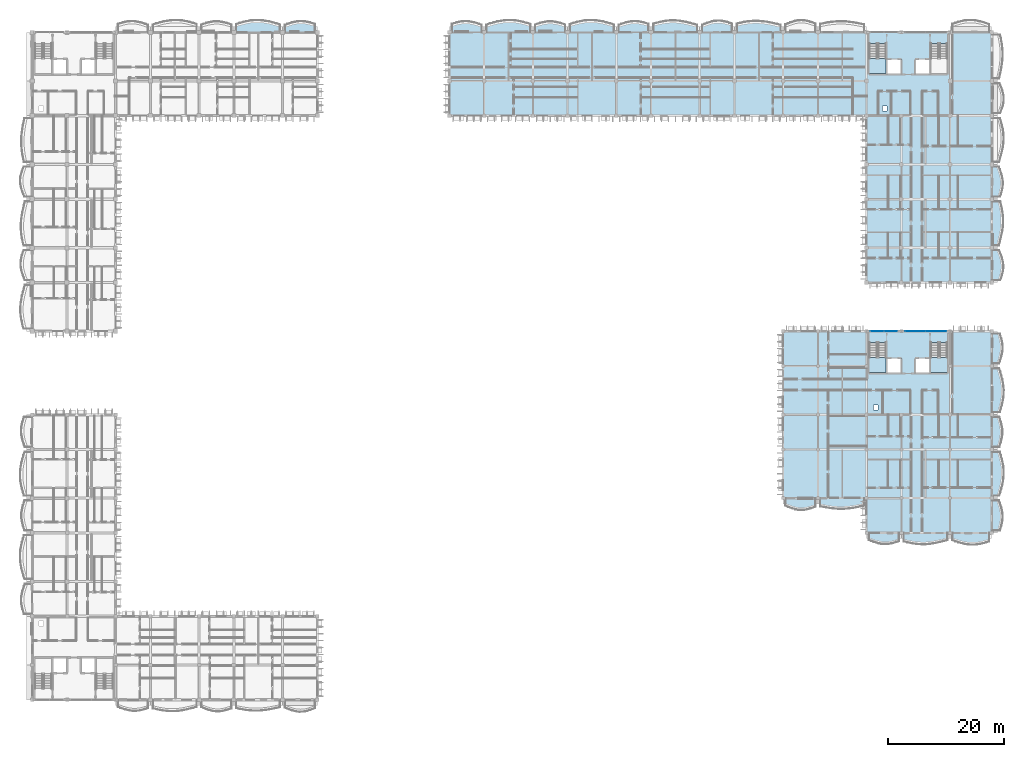
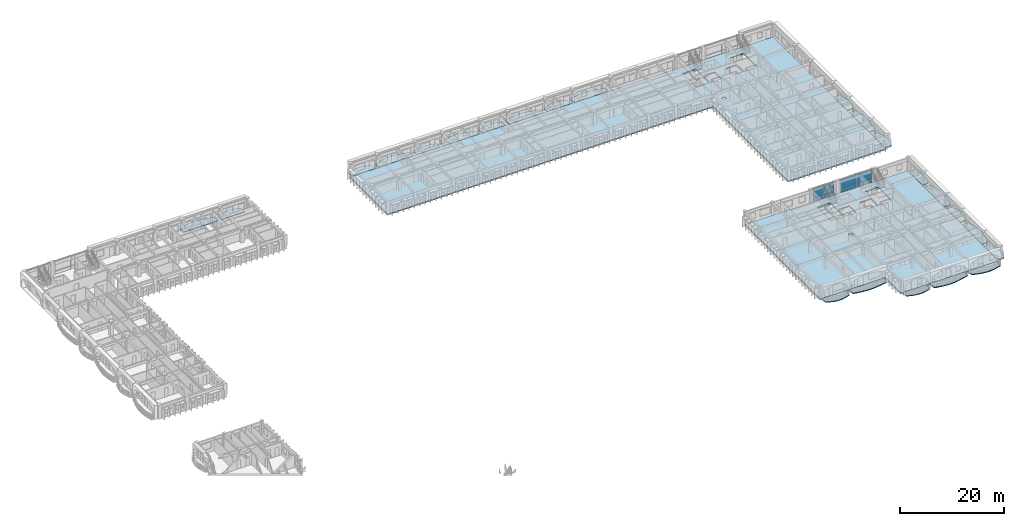
# One storey, part 12 of 70: 28 slabs, 8 plates, 5 elements without a shape of their own.
"""IFC4 building model written with IfcOpenShell, lengths in metres."""

from ifc_helpers import new_model, si_unit, direction, frame, origin, origin_2d, place, context, subcontext, project, spatial, polyline, rectangle, outline, extrude, material, layer, layer_set, type_object, element, aggregate, save


model = new_model("IFC4")

# Units and contexts
model_context = context("Model", 3, precision=1e-05, world=origin(), true_north=direction((0.0, 1.0)))
body_context = subcontext(model_context, "Body", "Model", "MODEL_VIEW")
ifc_project = project(units=[si_unit("LENGTHUNIT", "METRE"), si_unit("AREAUNIT", "SQUARE_METRE"), si_unit("VOLUMEUNIT", "CUBIC_METRE"), si_unit("PLANEANGLEUNIT", "RADIAN"), si_unit("MASSUNIT", "GRAM", prefix="KILO"), si_unit("THERMODYNAMICTEMPERATUREUNIT", "KELVIN")], contexts=[model_context])

# Site, building, storey
site_placement = place(None, origin())
site = spatial("IfcSite", under=ifc_project, at=site_placement, CompositionType="ELEMENT")
building_placement = place(site_placement, origin())
building = spatial("IfcBuilding", under=site, at=building_placement, Name="Thalorik Housing Commons", CompositionType="ELEMENT")
storey_placement = place(building_placement, frame((0.0, 0.0, 14.699951171875)))
storey = spatial("IfcBuildingStorey", under=building, at=storey_placement, Name="L04", CompositionType="ELEMENT", Elevation=14.699951171875)

# Curtain wall, plates
ifc_material_1 = material(Name="Anodised aluminium and solar-control low-E glass", Category="aluminium")
curtain_wall_type = type_object("IfcCurtainWallType", Name="ARC-CW-CORE", PredefinedType="USERDEFINED", material=ifc_material_1)
curtain_wall_1_placement = place(storey_placement, origin())
curtain_wall_1 = element("IfcCurtainWall", 1, at=curtain_wall_1_placement, inside=storey, type_object=curtain_wall_type, Name="L04 Curtain Wall CW-CORE-L04-D-190", ObjectType="CURTAIN WALL", PredefinedType="USERDEFINED")
ifc_material_2 = material(Name="Cobalt blue enamelled aluminium spandrel panel", Category="aluminium")
ifc_layer_1 = layer(ifc_material_2, 0.0458984375, Name="Cobalt blue enamelled aluminium spandrel panel", Category="aluminium")
ifc_layer_set_1 = layer_set([ifc_layer_1], Name="Cobalt blue enamelled aluminium spandrel panel")
plate_type_1 = type_object("IfcPlateType", Name="ARC-CP-BLU-46", PredefinedType="CURTAIN_PANEL", material=ifc_layer_set_1)
plate_1_placement = place(storey_placement, frame((156.574951171875, 72.0, 0.080078125), z_axis=(0.0, 0.0, 1.0), x_axis=(-1.0, 0.0, 0.0)))
plate_1 = element("IfcPlate", 2, at=plate_1_placement, type_object=plate_type_1, Name="CW-CORE-L04-D-190 Spandrel Panel 1", PredefinedType="CURTAIN_PANEL", context=body_context, shape_type="SweptSolid", body=[
    extrude(rectangle(XDim=2.2900390625, YDim=0.0458984375, at=origin_2d()), origin(), (0.0, 0.0, 1.0), 0.760009765625),
])
plate_2_placement = place(storey_placement, frame((154.22509765625, 72.0, 0.080078125), z_axis=(0.0, 0.0, 1.0), x_axis=(-1.0, 0.0, 0.0)))
plate_2 = element("IfcPlate", 3, at=plate_2_placement, type_object=plate_type_1, Name="CW-CORE-L04-D-190 Spandrel Panel 2", PredefinedType="CURTAIN_PANEL", context=body_context, shape_type="SweptSolid", body=[
    extrude(rectangle(XDim=2.2900390625, YDim=0.0458984375, at=origin_2d()), origin(), (0.0, 0.0, 1.0), 0.760009765625),
])

curtain_wall_2_placement = place(storey_placement, origin())
curtain_wall_2 = element("IfcCurtainWall", 4, at=curtain_wall_2_placement, inside=storey, type_object=curtain_wall_type, Name="L04 Curtain Wall CW-CORE-L04-D-189", ObjectType="CURTAIN WALL", PredefinedType="USERDEFINED")
ifc_material_3 = material(Name="Double solar-control low-E glass", Category="glass")
ifc_layer_2 = layer(ifc_material_3, 0.028076171875, Name="Double solar-control low-E glass", Category="glass")
ifc_layer_set_2 = layer_set([ifc_layer_2], Name="Double solar-control low-E glass")
plate_type_2 = type_object("IfcPlateType", Name="ARC-CP-GLZ-28", PredefinedType="CURTAIN_PANEL", material=ifc_layer_set_2)
plate_3_placement = place(storey_placement, frame((164.375, 72.0, 0.919921875), z_axis=(0.0, 0.0, 1.0), x_axis=(-1.0, 0.0, 0.0)))
plate_3 = element("IfcPlate", 5, at=plate_3_placement, type_object=plate_type_2, Name="CW-CORE-L04-D-189 Vision Panel 1", PredefinedType="CURTAIN_PANEL", context=body_context, shape_type="SweptSolid", body=[
    extrude(rectangle(XDim=3.489990234375, YDim=0.028076171875, at=origin_2d()), origin(), (0.0, 0.0, 1.0), 2.0400390625),
])
plate_4_placement = place(storey_placement, frame((160.824951171875, 72.0, 0.919921875), z_axis=(0.0, 0.0, 1.0), x_axis=(-1.0, 0.0, 0.0)))
plate_4 = element("IfcPlate", 6, at=plate_4_placement, type_object=plate_type_2, Name="CW-CORE-L04-D-189 Vision Panel 2", PredefinedType="CURTAIN_PANEL", context=body_context, shape_type="SweptSolid", body=[
    extrude(rectangle(XDim=3.489990234375, YDim=0.028076171875, at=origin_2d()), origin(), (0.0, 0.0, 1.0), 2.0400390625),
])

# Plate
plate_5_placement = place(storey_placement, frame((156.574951171875, 72.0, 0.919921875), z_axis=(0.0, 0.0, 1.0), x_axis=(-1.0, 0.0, 0.0)))
plate_5 = element("IfcPlate", 7, at=plate_5_placement, type_object=plate_type_2, Name="CW-CORE-L04-D-190 Vision Panel 1", PredefinedType="CURTAIN_PANEL", context=body_context, shape_type="SweptSolid", body=[
    extrude(rectangle(XDim=2.2900390625, YDim=0.028076171875, at=origin_2d()), origin(), (0.0, 0.0, 1.0), 2.0400390625),
])

plate_6_placement = place(storey_placement, frame((154.22509765625, 72.0, 0.919921875), z_axis=(0.0, 0.0, 1.0), x_axis=(-1.0, 0.0, 0.0)))
plate_6 = element("IfcPlate", 8, at=plate_6_placement, type_object=plate_type_2, Name="CW-CORE-L04-D-190 Vision Panel 2", PredefinedType="CURTAIN_PANEL", context=body_context, shape_type="SweptSolid", body=[
    extrude(rectangle(XDim=2.2900390625, YDim=0.028076171875, at=origin_2d()), origin(), (0.0, 0.0, 1.0), 2.0400390625),
])

aggregate(curtain_wall_1, [plate_1, plate_5, plate_2, plate_6])

ifc_material_4 = material(Name="Oxide red enamelled aluminium spandrel panel", Category="aluminium")
ifc_layer_3 = layer(ifc_material_4, 0.0419921875, Name="Oxide red enamelled aluminium spandrel panel", Category="aluminium")
ifc_layer_set_3 = layer_set([ifc_layer_3], Name="Oxide red enamelled aluminium spandrel panel")
plate_type_3 = type_object("IfcPlateType", Name="ARC-CP-RED-42", PredefinedType="CURTAIN_PANEL", material=ifc_layer_set_3)
plate_7_placement = place(storey_placement, frame((164.375, 72.0, 0.080078125), z_axis=(0.0, 0.0, 1.0), x_axis=(-1.0, 0.0, 0.0)))
plate_7 = element("IfcPlate", 9, at=plate_7_placement, type_object=plate_type_3, Name="CW-CORE-L04-D-189 Spandrel Panel 1", PredefinedType="CURTAIN_PANEL", context=body_context, shape_type="SweptSolid", body=[
    extrude(rectangle(XDim=3.489990234375, YDim=0.0419921875, at=origin_2d()), origin(), (0.0, 0.0, 1.0), 0.760009765625),
])

plate_8_placement = place(storey_placement, frame((160.824951171875, 72.0, 0.080078125), z_axis=(0.0, 0.0, 1.0), x_axis=(-1.0, 0.0, 0.0)))
plate_8 = element("IfcPlate", 10, at=plate_8_placement, type_object=plate_type_3, Name="CW-CORE-L04-D-189 Spandrel Panel 2", PredefinedType="CURTAIN_PANEL", context=body_context, shape_type="SweptSolid", body=[
    extrude(rectangle(XDim=3.489990234375, YDim=0.0419921875, at=origin_2d()), origin(), (0.0, 0.0, 1.0), 0.760009765625),
])

aggregate(curtain_wall_2, [plate_7, plate_3, plate_8, plate_4])

# Stair, slab
ifc_material_5 = material(Name="Precast concrete C40/50", Category="concrete")
stair_type = type_object("IfcStairType", Name="ARC-STR-1350-R20", PredefinedType="HALF_TURN_STAIR", material=ifc_material_5)
stair_1_placement = place(storey_placement, origin())
stair_1 = element("IfcStair", 11, at=stair_1_placement, inside=storey, type_object=stair_type, Name="L04 Block B Smoke-Proof Stair 1", PredefinedType="HALF_TURN_STAIR")
ifc_layer_4 = layer(ifc_material_5, 0.199951171875, Name="Precast concrete C40/50", Category="concrete")
ifc_layer_set_4 = layer_set([ifc_layer_4], Name="Precast concrete C40/50")
slab_type_1 = type_object("IfcSlabType", Name="ARC-SLB-STLND-200", PredefinedType="LANDING", material=ifc_layer_set_4)
slab_1_placement = place(storey_placement, frame((0.0, 0.0, 1.449951171875)))
slab_1 = element("IfcSlab", 12, at=slab_1_placement, type_object=slab_type_1, Name="ST-B1 landing 1", PredefinedType="LANDING", context=body_context, shape_type="SweptSolid", body=[
    extrude(outline(polyline([(152.85009765625, 119.090087890625), (152.85009765625, 116.449951171875), (155.75, 116.449951171875), (155.75, 119.090087890625), (152.85009765625, 119.090087890625)])), origin(), (0.0, 0.0, 1.0), 0.2001953125),
])
aggregate(stair_1, [slab_1])

stair_2_placement = place(storey_placement, origin())
stair_2 = element("IfcStair", 13, at=stair_2_placement, inside=storey, type_object=stair_type, Name="L04 Block D Smoke-Proof Stair 1", PredefinedType="HALF_TURN_STAIR")
slab_2_placement = place(storey_placement, frame((0.0, 0.0, 1.449951171875)))
slab_2 = element("IfcSlab", 14, at=slab_2_placement, type_object=slab_type_1, Name="ST-D1 landing 1", PredefinedType="LANDING", context=body_context, shape_type="SweptSolid", body=[
    extrude(outline(polyline([(152.85009765625, 67.489990234375), (152.85009765625, 64.85009765625), (155.75, 64.85009765625), (155.75, 67.489990234375), (152.85009765625, 67.489990234375)])), origin(), (0.0, 0.0, 1.0), 0.2001953125),
])
aggregate(stair_2, [slab_2])

stair_3_placement = place(storey_placement, origin())
stair_3 = element("IfcStair", 15, at=stair_3_placement, inside=storey, type_object=stair_type, Name="L04 Block D Smoke-Proof Stair 2", PredefinedType="HALF_TURN_STAIR")
slab_3_placement = place(storey_placement, frame((0.0, 0.0, 1.449951171875)))
slab_3 = element("IfcSlab", 16, at=slab_3_placement, type_object=slab_type_1, Name="ST-D2 landing 1", PredefinedType="LANDING", context=body_context, shape_type="SweptSolid", body=[
    extrude(outline(polyline([(163.449951171875, 67.489990234375), (163.449951171875, 64.85009765625), (166.35009765625, 64.85009765625), (166.35009765625, 67.489990234375), (163.449951171875, 67.489990234375)])), origin(), (0.0, 0.0, 1.0), 0.2001953125),
])
aggregate(stair_3, [slab_3])

# Slabs
ifc_layer_5 = layer(ifc_material_5, 0.199951171875, Name="Precast concrete C40/50", Category="concrete")
ifc_layer_set_5 = layer_set([ifc_layer_5], Name="Precast concrete C40/50")
slab_type_2 = type_object("IfcSlabType", Name="STR-SLB-BALC-200", PredefinedType="FLOOR", material=ifc_layer_set_5)
slab_4_placement = place(storey_placement, frame((0.0, 0.0, -0.199951171875)))
element("IfcSlab", 17, at=slab_4_placement, inside=storey, type_object=slab_type_2, Name="L04 Block A Cushion Balcony 25", PredefinedType="FLOOR", context=body_context, shape_type="SweptSolid", body=[
    extrude(outline(polyline([(52.02001953125, 123.60009765625), (57.179931640625, 123.60009765625), (57.179931640625, 125.0087890625), (56.75, 125.1455078125), (56.320068359375, 125.270751953125), (55.889892578125, 125.37548828125), (55.4599609375, 125.45166015625), (55.030029296875, 125.4931640625), (54.60009765625, 125.496826171875), (54.169921875, 125.4619140625), (53.739990234375, 125.389892578125), (53.31005859375, 125.28564453125), (52.8798828125, 125.156005859375), (52.449951171875, 125.009765625), (52.02001953125, 124.856689453125), (52.02001953125, 123.60009765625)])), origin(), (0.0, 0.0, 1.0), 0.199951171875),
])
slab_5_placement = place(storey_placement, frame((0.0, 0.0, -0.199951171875)))
element("IfcSlab", 18, at=slab_5_placement, inside=storey, type_object=slab_type_2, Name="L04 Block B Cushion Balcony 135", PredefinedType="FLOOR", context=body_context, shape_type="SweptSolid", body=[
    extrude(outline(polyline([(80.820068359375, 123.60009765625), (85.97998046875, 123.60009765625), (85.97998046875, 124.856689453125), (85.550048828125, 125.009765625), (85.1201171875, 125.156005859375), (84.68994140625, 125.28564453125), (84.260009765625, 125.389892578125), (83.830078125, 125.4619140625), (83.39990234375, 125.496826171875), (82.969970703125, 125.4931640625), (82.5400390625, 125.45166015625), (82.110107421875, 125.37548828125), (81.679931640625, 125.270751953125), (81.25, 125.1455078125), (80.820068359375, 125.0087890625), (80.820068359375, 123.60009765625)])), origin(), (0.0, 0.0, 1.0), 0.199951171875),
])
slab_6_placement = place(storey_placement, frame((0.0, 0.0, -0.199951171875)))
element("IfcSlab", 19, at=slab_6_placement, inside=storey, type_object=slab_type_2, Name="L04 Block B Cushion Balcony 137", PredefinedType="FLOOR", context=body_context, shape_type="SweptSolid", body=[
    extrude(outline(polyline([(95.219970703125, 123.60009765625), (100.3798828125, 123.60009765625), (100.3798828125, 124.917724609375), (99.949951171875, 125.056884765625), (99.52001953125, 125.18798828125), (99.090087890625, 125.301025390625), (98.659912109375, 125.38818359375), (98.22998046875, 125.443115234375), (97.800048828125, 125.4619140625), (97.3701171875, 125.443115234375), (96.93994140625, 125.38818359375), (96.510009765625, 125.301025390625), (96.080078125, 125.18798828125), (95.64990234375, 125.056884765625), (95.219970703125, 124.917724609375), (95.219970703125, 123.60009765625)])), origin(), (0.0, 0.0, 1.0), 0.199951171875),
])
slab_7_placement = place(storey_placement, frame((0.0, 0.0, -0.199951171875)))
element("IfcSlab", 20, at=slab_7_placement, inside=storey, type_object=slab_type_2, Name="L04 Block B Cushion Balcony 139", PredefinedType="FLOOR", context=body_context, shape_type="SweptSolid", body=[
    extrude(outline(polyline([(109.6201171875, 123.60009765625), (114.780029296875, 123.60009765625), (114.780029296875, 125.0087890625), (114.35009765625, 125.1455078125), (113.919921875, 125.270751953125), (113.489990234375, 125.37548828125), (113.06005859375, 125.45166015625), (112.6298828125, 125.4931640625), (112.199951171875, 125.496826171875), (111.77001953125, 125.4619140625), (111.340087890625, 125.389892578125), (110.909912109375, 125.28564453125), (110.47998046875, 125.156005859375), (110.050048828125, 125.009765625), (109.6201171875, 124.856689453125), (109.6201171875, 123.60009765625)])), origin(), (0.0, 0.0, 1.0), 0.199951171875),
])
slab_8_placement = place(storey_placement, frame((0.0, 0.0, -0.199951171875)))
element("IfcSlab", 21, at=slab_8_placement, inside=storey, type_object=slab_type_2, Name="L04 Block B Cushion Balcony 141", PredefinedType="FLOOR", context=body_context, shape_type="SweptSolid", body=[
    extrude(outline(polyline([(124.02001953125, 123.60009765625), (129.179931640625, 123.60009765625), (129.179931640625, 125.076416015625), (128.75, 125.223388671875), (128.320068359375, 125.356201171875), (127.889892578125, 125.465087890625), (127.4599609375, 125.54248046875), (127.030029296875, 125.582275390625), (126.60009765625, 125.5810546875), (126.169921875, 125.5380859375), (125.739990234375, 125.455322265625), (125.31005859375, 125.338134765625), (124.8798828125, 125.19384765625), (124.449951171875, 125.031494140625), (124.02001953125, 124.861572265625), (124.02001953125, 123.60009765625)])), origin(), (0.0, 0.0, 1.0), 0.199951171875),
])
slab_9_placement = place(storey_placement, frame((0.0, 0.0, -0.199951171875)))
element("IfcSlab", 22, at=slab_9_placement, inside=storey, type_object=slab_type_2, Name="L04 Block B Cushion Balcony 148", PredefinedType="FLOOR", context=body_context, shape_type="SweptSolid", body=[
    extrude(outline(polyline([(175.48779296875, 80.820068359375), (175.64306640625, 81.25), (175.783203125, 81.679931640625), (175.89892578125, 82.110107421875), (175.981689453125, 82.5400390625), (176.025390625, 82.969970703125), (176.026611328125, 83.39990234375), (175.984375, 83.830078125), (175.901123046875, 84.260009765625), (175.781494140625, 84.68994140625), (175.63330078125, 85.1201171875), (175.4658203125, 85.550048828125), (175.289306640625, 85.97998046875), (174.0, 85.97998046875), (174.0, 80.820068359375), (175.48779296875, 80.820068359375)])), origin(), (0.0, 0.0, 1.0), 0.199951171875),
])
slab_10_placement = place(storey_placement, frame((0.0, 0.0, -0.199951171875)))
element("IfcSlab", 23, at=slab_10_placement, inside=storey, type_object=slab_type_2, Name="L04 Block B Cushion Balcony 150", PredefinedType="FLOOR", context=body_context, shape_type="SweptSolid", body=[
    extrude(outline(polyline([(175.448486328125, 95.219970703125), (175.589111328125, 95.64990234375), (175.716796875, 96.080078125), (175.822021484375, 96.510009765625), (175.89697265625, 96.93994140625), (175.935791015625, 97.3701171875), (175.935546875, 97.800048828125), (175.89501953125, 98.22998046875), (175.81640625, 98.659912109375), (175.70458984375, 99.090087890625), (175.566650390625, 99.52001953125), (175.411865234375, 99.949951171875), (175.250244140625, 100.3798828125), (174.0, 100.3798828125), (174.0, 95.219970703125), (175.448486328125, 95.219970703125)])), origin(), (0.0, 0.0, 1.0), 0.199951171875),
])
slab_11_placement = place(storey_placement, frame((0.0, 0.0, -0.199951171875)))
element("IfcSlab", 24, at=slab_11_placement, inside=storey, type_object=slab_type_2, Name="L04 Block D Cushion Balcony 349", PredefinedType="FLOOR", context=body_context, shape_type="SweptSolid", body=[
    extrude(outline(polyline([(175.40869140625, 37.6201171875), (175.54541015625, 38.050048828125), (175.6708984375, 38.47998046875), (175.775390625, 38.909912109375), (175.8515625, 39.340087890625), (175.893310546875, 39.77001953125), (175.89697265625, 40.199951171875), (175.86181640625, 40.6298828125), (175.789794921875, 41.06005859375), (175.685791015625, 41.489990234375), (175.55615234375, 41.919921875), (175.409912109375, 42.35009765625), (175.2568359375, 42.780029296875), (174.0, 42.780029296875), (174.0, 37.6201171875), (175.40869140625, 37.6201171875)])), origin(), (0.0, 0.0, 1.0), 0.199951171875),
])
slab_12_placement = place(storey_placement, frame((0.0, 0.0, -0.199951171875)))
element("IfcSlab", 25, at=slab_12_placement, inside=storey, type_object=slab_type_2, Name="L04 Block D Cushion Balcony 351", PredefinedType="FLOOR", context=body_context, shape_type="SweptSolid", body=[
    extrude(outline(polyline([(175.31787109375, 52.02001953125), (175.45703125, 52.449951171875), (175.587890625, 52.8798828125), (175.701171875, 53.31005859375), (175.788330078125, 53.739990234375), (175.84326171875, 54.169921875), (175.862060546875, 54.60009765625), (175.84326171875, 55.030029296875), (175.788330078125, 55.4599609375), (175.701171875, 55.889892578125), (175.587890625, 56.320068359375), (175.45703125, 56.75), (175.31787109375, 57.179931640625), (174.0, 57.179931640625), (174.0, 52.02001953125), (175.31787109375, 52.02001953125)])), origin(), (0.0, 0.0, 1.0), 0.199951171875),
])
slab_13_placement = place(storey_placement, frame((0.0, 0.0, -0.199951171875)))
element("IfcSlab", 26, at=slab_13_placement, inside=storey, type_object=slab_type_2, Name="L04 Block D Cushion Balcony 353", PredefinedType="FLOOR", context=body_context, shape_type="SweptSolid", body=[
    extrude(outline(polyline([(175.2568359375, 66.419921875), (175.409912109375, 66.85009765625), (175.55615234375, 67.280029296875), (175.685791015625, 67.7099609375), (175.789794921875, 68.139892578125), (175.86181640625, 68.570068359375), (175.89697265625, 69.0), (175.893310546875, 69.429931640625), (175.8515625, 69.860107421875), (175.775390625, 70.2900390625), (175.6708984375, 70.719970703125), (175.54541015625, 71.14990234375), (175.40869140625, 71.580078125), (174.0, 71.580078125), (174.0, 66.419921875), (175.2568359375, 66.419921875)])), origin(), (0.0, 0.0, 1.0), 0.199951171875),
])
slab_14_placement = place(storey_placement, frame((0.0, 0.0, -0.199951171875)))
element("IfcSlab", 27, at=slab_14_placement, inside=storey, type_object=slab_type_2, Name="L04 Block D Cushion Balcony 354", PredefinedType="FLOOR", context=body_context, shape_type="SweptSolid", body=[
    extrude(outline(polyline([(152.820068359375, 35.94970703125), (153.25, 35.7880859375), (153.679931640625, 35.63330078125), (154.110107421875, 35.495361328125), (154.5400390625, 35.3837890625), (154.969970703125, 35.30517578125), (155.39990234375, 35.264404296875), (155.830078125, 35.26416015625), (156.260009765625, 35.302978515625), (156.68994140625, 35.378173828125), (157.1201171875, 35.4833984375), (157.550048828125, 35.61083984375), (157.97998046875, 35.75146484375), (157.97998046875, 37.199951171875), (152.820068359375, 37.199951171875), (152.820068359375, 35.94970703125)])), origin(), (0.0, 0.0, 1.0), 0.199951171875),
])
slab_15_placement = place(storey_placement, frame((0.0, 0.0, -0.199951171875)))
element("IfcSlab", 28, at=slab_15_placement, inside=storey, type_object=slab_type_2, Name="L04 Block D Cushion Balcony 357", PredefinedType="FLOOR", context=body_context, shape_type="SweptSolid", body=[
    extrude(outline(polyline([(138.419921875, 41.87060546875), (138.85009765625, 41.690673828125), (139.280029296875, 41.520751953125), (139.7099609375, 41.3720703125), (140.139892578125, 41.25341796875), (140.570068359375, 41.1728515625), (141.0, 41.135009765625), (141.429931640625, 41.1416015625), (141.860107421875, 41.19189453125), (142.2900390625, 41.2822265625), (142.719970703125, 41.406005859375), (143.14990234375, 41.554931640625), (143.580078125, 41.71875), (143.580078125, 43.199951171875), (138.419921875, 43.199951171875), (138.419921875, 41.87060546875)])), origin(), (0.0, 0.0, 1.0), 0.199951171875),
])
ifc_layer_6 = layer(ifc_material_5, 0.219970703125, Name="Precast concrete C40/50", Category="concrete")
ifc_layer_set_6 = layer_set([ifc_layer_6], Name="Precast concrete C40/50")
slab_type_3 = type_object("IfcSlabType", Name="STR-SLB-BALC-220", PredefinedType="FLOOR", material=ifc_layer_set_6)
slab_16_placement = place(storey_placement, frame((0.0, 0.0, -0.219970703125)))
element("IfcSlab", 29, at=slab_16_placement, inside=storey, type_object=slab_type_3, Name="L04 Block A Cushion Balcony 24", PredefinedType="FLOOR", context=body_context, shape_type="SweptSolid", body=[
    extrude(outline(polyline([(43.6201171875, 123.60009765625), (51.179931640625, 123.60009765625), (51.179931640625, 124.9150390625), (50.550048828125, 125.104248046875), (49.919921875, 125.2841796875), (49.2900390625, 125.44287109375), (48.659912109375, 125.569091796875), (48.030029296875, 125.653564453125), (47.39990234375, 125.69091796875), (46.77001953125, 125.67822265625), (46.139892578125, 125.616455078125), (45.510009765625, 125.509765625), (44.8798828125, 125.365478515625), (44.25, 125.193603515625), (43.6201171875, 125.005859375), (43.6201171875, 123.60009765625)])), origin(), (0.0, 0.0, 1.0), 0.219970703125),
])
slab_17_placement = place(storey_placement, frame((0.0, 0.0, -0.219970703125)))
element("IfcSlab", 30, at=slab_17_placement, inside=storey, type_object=slab_type_3, Name="L04 Block B Cushion Balcony 136", PredefinedType="FLOOR", context=body_context, shape_type="SweptSolid", body=[
    extrude(outline(polyline([(86.820068359375, 123.60009765625), (94.3798828125, 123.60009765625), (94.3798828125, 125.005859375), (93.75, 125.193603515625), (93.1201171875, 125.365478515625), (92.489990234375, 125.509765625), (91.860107421875, 125.616455078125), (91.22998046875, 125.67822265625), (90.60009765625, 125.69091796875), (89.969970703125, 125.653564453125), (89.340087890625, 125.569091796875), (88.7099609375, 125.44287109375), (88.080078125, 125.2841796875), (87.449951171875, 125.104248046875), (86.820068359375, 124.9150390625), (86.820068359375, 123.60009765625)])), origin(), (0.0, 0.0, 1.0), 0.219970703125),
])
slab_18_placement = place(storey_placement, frame((0.0, 0.0, -0.219970703125)))
element("IfcSlab", 31, at=slab_18_placement, inside=storey, type_object=slab_type_3, Name="L04 Block B Cushion Balcony 138", PredefinedType="FLOOR", context=body_context, shape_type="SweptSolid", body=[
    extrude(outline(polyline([(101.219970703125, 123.60009765625), (108.780029296875, 123.60009765625), (108.780029296875, 124.9150390625), (108.14990234375, 125.104248046875), (107.52001953125, 125.2841796875), (106.889892578125, 125.44287109375), (106.260009765625, 125.569091796875), (105.6298828125, 125.653564453125), (105.0, 125.69091796875), (104.3701171875, 125.67822265625), (103.739990234375, 125.616455078125), (103.110107421875, 125.509765625), (102.47998046875, 125.365478515625), (101.85009765625, 125.193603515625), (101.219970703125, 125.005859375), (101.219970703125, 123.60009765625)])), origin(), (0.0, 0.0, 1.0), 0.219970703125),
])
slab_19_placement = place(storey_placement, frame((0.0, 0.0, -0.219970703125)))
element("IfcSlab", 32, at=slab_19_placement, inside=storey, type_object=slab_type_3, Name="L04 Block B Cushion Balcony 140", PredefinedType="FLOOR", context=body_context, shape_type="SweptSolid", body=[
    extrude(outline(polyline([(115.6201171875, 123.60009765625), (123.179931640625, 123.60009765625), (123.179931640625, 124.855712890625), (122.550048828125, 125.028564453125), (121.919921875, 125.19775390625), (121.2900390625, 125.351806640625), (120.659912109375, 125.48046875), (120.030029296875, 125.57421875), (119.39990234375, 125.62646484375), (118.77001953125, 125.6337890625), (118.139892578125, 125.59521484375), (117.510009765625, 125.513427734375), (116.8798828125, 125.3935546875), (116.25, 125.244140625), (115.6201171875, 125.074951171875), (115.6201171875, 123.60009765625)])), origin(), (0.0, 0.0, 1.0), 0.219970703125),
])
slab_20_placement = place(storey_placement, frame((0.0, 0.0, -0.219970703125)))
element("IfcSlab", 33, at=slab_20_placement, inside=storey, type_object=slab_type_3, Name="L04 Block B Cushion Balcony 142", PredefinedType="FLOOR", context=body_context, shape_type="SweptSolid", body=[
    extrude(outline(polyline([(130.02001953125, 123.60009765625), (137.580078125, 123.60009765625), (137.580078125, 124.863037109375), (136.949951171875, 125.0107421875), (136.320068359375, 125.156494140625), (135.68994140625, 125.2900390625), (135.06005859375, 125.402587890625), (134.429931640625, 125.486572265625), (133.800048828125, 125.535400390625), (133.169921875, 125.546142578125), (132.5400390625, 125.517578125), (131.909912109375, 125.45166015625), (131.280029296875, 125.352294921875), (130.64990234375, 125.226318359375), (130.02001953125, 125.082275390625), (130.02001953125, 123.60009765625)])), origin(), (0.0, 0.0, 1.0), 0.219970703125),
])
slab_21_placement = place(storey_placement, frame((0.0, 0.0, -0.219970703125)))
element("IfcSlab", 34, at=slab_21_placement, inside=storey, type_object=slab_type_3, Name="L04 Block B Cushion Balcony 149", PredefinedType="FLOOR", context=body_context, shape_type="SweptSolid", body=[
    extrude(outline(polyline([(175.25048828125, 86.820068359375), (175.41064453125, 87.449951171875), (175.569091796875, 88.080078125), (175.71435546875, 88.7099609375), (175.8369140625, 89.340087890625), (175.927734375, 89.969970703125), (175.98095703125, 90.60009765625), (175.992431640625, 91.22998046875), (175.961181640625, 91.860107421875), (175.88916015625, 92.489990234375), (175.781005859375, 93.1201171875), (175.64404296875, 93.75), (175.487548828125, 94.3798828125), (174.0, 94.3798828125), (174.0, 86.820068359375), (175.25048828125, 86.820068359375)])), origin(), (0.0, 0.0, 1.0), 0.219970703125),
])
slab_22_placement = place(storey_placement, frame((0.0, 0.0, -0.219970703125)))
element("IfcSlab", 35, at=slab_22_placement, inside=storey, type_object=slab_type_3, Name="L04 Block D Cushion Balcony 350", PredefinedType="FLOOR", context=body_context, shape_type="SweptSolid", body=[
    extrude(outline(polyline([(175.31494140625, 43.6201171875), (175.504150390625, 44.25), (175.684326171875, 44.8798828125), (175.843017578125, 45.510009765625), (175.968994140625, 46.139892578125), (176.0537109375, 46.77001953125), (176.0908203125, 47.39990234375), (176.078369140625, 48.030029296875), (176.0166015625, 48.659912109375), (175.909912109375, 49.2900390625), (175.765380859375, 49.919921875), (175.593505859375, 50.550048828125), (175.40576171875, 51.179931640625), (174.0, 51.179931640625), (174.0, 43.6201171875), (175.31494140625, 43.6201171875)])), origin(), (0.0, 0.0, 1.0), 0.219970703125),
])
slab_23_placement = place(storey_placement, frame((0.0, 0.0, -0.219970703125)))
element("IfcSlab", 36, at=slab_23_placement, inside=storey, type_object=slab_type_3, Name="L04 Block D Cushion Balcony 352", PredefinedType="FLOOR", context=body_context, shape_type="SweptSolid", body=[
    extrude(outline(polyline([(175.40576171875, 58.02001953125), (175.593505859375, 58.64990234375), (175.765380859375, 59.280029296875), (175.909912109375, 59.909912109375), (176.0166015625, 60.5400390625), (176.078369140625, 61.169921875), (176.0908203125, 61.800048828125), (176.0537109375, 62.429931640625), (175.968994140625, 63.06005859375), (175.843017578125, 63.68994140625), (175.684326171875, 64.320068359375), (175.504150390625, 64.949951171875), (175.31494140625, 65.580078125), (174.0, 65.580078125), (174.0, 58.02001953125), (175.40576171875, 58.02001953125)])), origin(), (0.0, 0.0, 1.0), 0.219970703125),
])
slab_24_placement = place(storey_placement, frame((0.0, 0.0, -0.219970703125)))
element("IfcSlab", 37, at=slab_24_placement, inside=storey, type_object=slab_type_3, Name="L04 Block D Cushion Balcony 355", PredefinedType="FLOOR", context=body_context, shape_type="SweptSolid", body=[
    extrude(outline(polyline([(158.820068359375, 35.71240234375), (159.449951171875, 35.555908203125), (160.080078125, 35.4189453125), (160.7099609375, 35.310791015625), (161.340087890625, 35.23876953125), (161.969970703125, 35.20751953125), (162.60009765625, 35.218994140625), (163.22998046875, 35.272216796875), (163.860107421875, 35.36328125), (164.489990234375, 35.485595703125), (165.1201171875, 35.631103515625), (165.75, 35.789306640625), (166.3798828125, 35.94970703125), (166.3798828125, 37.199951171875), (158.820068359375, 37.199951171875), (158.820068359375, 35.71240234375)])), origin(), (0.0, 0.0, 1.0), 0.219970703125),
])
slab_25_placement = place(storey_placement, frame((0.0, 0.0, -0.219970703125)))
element("IfcSlab", 38, at=slab_25_placement, inside=storey, type_object=slab_type_3, Name="L04 Block D Cushion Balcony 356", PredefinedType="FLOOR", context=body_context, shape_type="SweptSolid", body=[
    extrude(outline(polyline([(167.219970703125, 35.91064453125), (167.75, 35.729736328125), (168.280029296875, 35.556884765625), (168.81005859375, 35.40283203125), (169.340087890625, 35.2783203125), (169.8701171875, 35.19091796875), (170.39990234375, 35.146484375), (170.929931640625, 35.147705078125), (171.4599609375, 35.194091796875), (171.989990234375, 35.2822265625), (172.52001953125, 35.406005859375), (173.050048828125, 35.556884765625), (173.580078125, 35.72509765625), (173.580078125, 37.199951171875), (167.219970703125, 37.199951171875), (167.219970703125, 35.91064453125)])), origin(), (0.0, 0.0, 1.0), 0.219970703125),
])
slab_26_placement = place(storey_placement, frame((0.0, 0.0, -0.219970703125)))
element("IfcSlab", 39, at=slab_26_placement, inside=storey, type_object=slab_type_3, Name="L04 Block D Cushion Balcony 358", PredefinedType="FLOOR", context=body_context, shape_type="SweptSolid", body=[
    extrude(outline(polyline([(144.419921875, 41.777099609375), (145.050048828125, 41.6494140625), (145.679931640625, 41.5341796875), (146.31005859375, 41.439453125), (146.93994140625, 41.370849609375), (147.570068359375, 41.333251953125), (148.199951171875, 41.328857421875), (148.830078125, 41.35791015625), (149.4599609375, 41.41845703125), (150.090087890625, 41.50634765625), (150.719970703125, 41.615478515625), (151.35009765625, 41.73876953125), (151.97998046875, 41.867919921875), (151.97998046875, 43.199951171875), (144.419921875, 43.199951171875), (144.419921875, 41.777099609375)])), origin(), (0.0, 0.0, 1.0), 0.219970703125),
])
ifc_material_6 = material(Name="Precast concrete C45/55", Category="concrete")
ifc_layer_7 = layer(ifc_material_6, 0.260009765625, Name="Precast concrete C45/55", Category="concrete")
ifc_layer_set_7 = layer_set([ifc_layer_7], Name="Precast concrete C45/55")
slab_type_4 = type_object("IfcSlabType", Name="STR-SLB-HC-260", PredefinedType="FLOOR", material=ifc_layer_set_7)
slab_27_placement = place(storey_placement, frame((0.0, 0.0, -0.260009765625)))
element("IfcSlab", 40, at=slab_27_placement, inside=storey, type_object=slab_type_4, Name="L04 Residential Block B Floor Slab", PredefinedType="FLOOR", context=body_context, shape_type="SweptSolid", body=[
    extrude(outline(polyline([(80.39990234375, 109.199951171875), (152.39990234375, 109.199951171875), (152.39990234375, 80.39990234375), (174.0, 80.39990234375), (174.0, 109.199951171875), (174.0, 123.60009765625), (80.39990234375, 123.60009765625), (80.39990234375, 109.199951171875)]), holes=[polyline([(152.85009765625, 121.64990234375), (155.75, 121.64990234375), (155.75, 116.449951171875), (152.85009765625, 116.449951171875), (152.85009765625, 121.64990234375)]), polyline([(166.35009765625, 121.64990234375), (166.35009765625, 116.449951171875), (163.449951171875, 116.449951171875), (163.449951171875, 121.64990234375), (166.35009765625, 121.64990234375)]), polyline([(158.39990234375, 119.0), (158.39990234375, 116.449951171875), (156.0, 116.449951171875), (156.0, 119.0), (158.39990234375, 119.0)]), polyline([(163.199951171875, 116.449951171875), (160.800048828125, 116.449951171875), (160.800048828125, 119.0), (163.199951171875, 119.0), (163.199951171875, 116.449951171875)]), polyline([(155.14990234375, 110.050048828125), (155.14990234375, 110.85009765625), (155.949951171875, 110.85009765625), (155.949951171875, 110.050048828125), (155.14990234375, 110.050048828125)])]), origin(), (0.0, 0.0, 1.0), 0.260009765625),
])
slab_28_placement = place(storey_placement, frame((0.0, 0.0, -0.260009765625)))
element("IfcSlab", 41, at=slab_28_placement, inside=storey, type_object=slab_type_4, Name="L04 Residential Block D Floor Slab", PredefinedType="FLOOR", context=body_context, shape_type="SweptSolid", body=[
    extrude(outline(polyline([(152.39990234375, 43.199951171875), (152.39990234375, 37.199951171875), (174.0, 37.199951171875), (174.0, 72.0), (152.39990234375, 72.0), (138.0, 72.0), (138.0, 43.199951171875), (152.39990234375, 43.199951171875)]), holes=[polyline([(152.85009765625, 70.050048828125), (155.75, 70.050048828125), (155.75, 64.85009765625), (152.85009765625, 64.85009765625), (152.85009765625, 70.050048828125)]), polyline([(166.35009765625, 70.050048828125), (166.35009765625, 64.85009765625), (163.449951171875, 64.85009765625), (163.449951171875, 70.050048828125), (166.35009765625, 70.050048828125)]), polyline([(158.39990234375, 67.39990234375), (158.39990234375, 64.85009765625), (156.0, 64.85009765625), (156.0, 67.39990234375), (158.39990234375, 67.39990234375)]), polyline([(163.199951171875, 64.85009765625), (160.800048828125, 64.85009765625), (160.800048828125, 67.39990234375), (163.199951171875, 67.39990234375), (163.199951171875, 64.85009765625)]), polyline([(153.550048828125, 58.449951171875), (153.550048828125, 59.25), (154.35009765625, 59.25), (154.35009765625, 58.449951171875), (153.550048828125, 58.449951171875)])]), origin(), (0.0, 0.0, 1.0), 0.260009765625),
])

save(model, "model.ifc")
